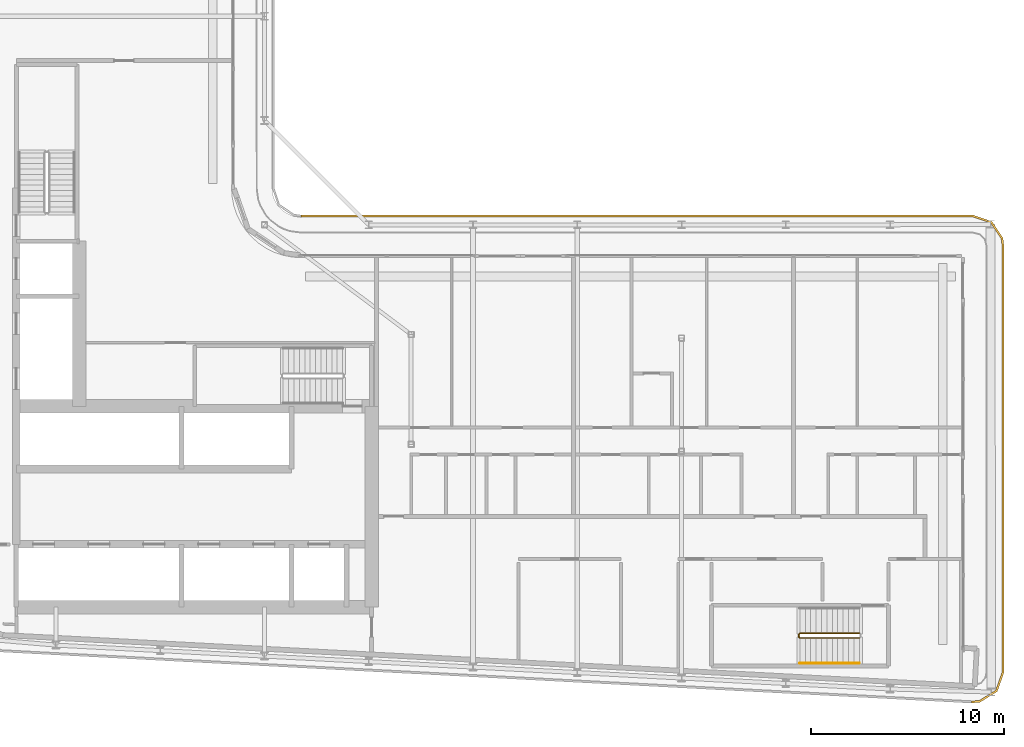
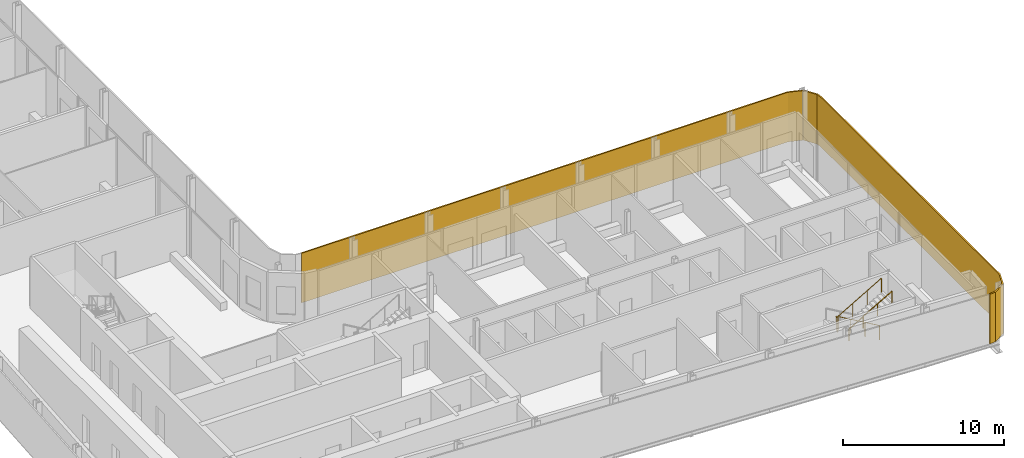
# One storey, part 19 of 23: 2 railings, 1 shading device.
"""IFC4 building model written with IfcOpenShell, lengths in metres."""

from ifc_helpers import new_model, si_unit, direction, frame, origin, origin_2d, place, context, subcontext, project, spatial, polyline, circle, outline, extrude, material, layer, layer_set, type_object, element, save


model = new_model("IFC4")

# Units and contexts
model_context = context("Model", 3, precision=1e-05, world=origin(), true_north=direction((0.0, 1.0)))
body_context = subcontext(model_context, "Body", "Model", "MODEL_VIEW")
ifc_project = project(units=[si_unit("LENGTHUNIT", "METRE"), si_unit("AREAUNIT", "SQUARE_METRE"), si_unit("VOLUMEUNIT", "CUBIC_METRE"), si_unit("PLANEANGLEUNIT", "RADIAN"), si_unit("MASSUNIT", "GRAM", prefix="KILO")], contexts=[model_context])

# Site, building, storey
site_placement = place(None, origin())
site = spatial("IfcSite", under=ifc_project, at=site_placement, CompositionType="ELEMENT")
building_placement = place(site_placement, origin())
building = spatial("IfcBuilding", under=site, at=building_placement, Name="Kheshtan School and Residences Tower", CompositionType="ELEMENT")
storey_placement = place(building_placement, frame((0.0, 0.0, 247.39990234375)))
storey = spatial("IfcBuildingStorey", under=building, at=storey_placement, Name="L58", CompositionType="ELEMENT", Elevation=247.39990234375)

# Shading device
ifc_material_1 = material(Name="Terracotta lattice, extruded ceramic", Category="masonry")
ifc_layer = layer(ifc_material_1, 0.10009765625)
ifc_layer_set = layer_set([ifc_layer], Name="Loggia screen, terracotta lattice")
shading_device_type = type_object("IfcShadingDeviceType", Name="Loggia screen, terracotta lattice", PredefinedType="USERDEFINED", material=ifc_layer_set)
shading_device_placement = place(storey_placement, origin())
element("IfcShadingDevice", 1, at=shading_device_placement, inside=storey, type_object=shading_device_type, Name="Screen L58 2", ObjectType="SCREEN", PredefinedType="USERDEFINED", context=body_context, shape_type="SweptSolid", body=[
    extrude(outline(polyline([(49.5, 46.0), (84.300048828125, 46.0), (85.212890625, 45.68994140625), (85.7490234375, 44.887939453125), (85.800048828125, 44.5), (85.800048828125, 22.43408203125), (85.469970703125, 21.4951171875), (84.6240234375, 20.968994140625), (84.220947265625, 20.93603515625), (84.22900390625, 20.8359375), (84.656005859375, 20.87109375), (85.552978515625, 21.428955078125), (85.89990234375, 22.4169921875), (85.89990234375, 44.507080078125), (85.844970703125, 44.924072265625), (85.277099609375, 45.77392578125), (84.31689453125, 46.10009765625), (49.5, 46.10009765625), (49.5, 46.0)])), origin(), (0.0, 0.0, 1.0), 3.75),
])

# Railings
ifc_material_2 = material(Name="Stainless steel balustrade", Category="steel")
railing_type_1 = type_object("IfcRailingType", Name="Stair guard 1100", PredefinedType="GUARDRAIL", material=ifc_material_2)
railing_1_placement = place(storey_placement, frame((78.409912109375, 24.449951171875, 0.16259765625)))
element("IfcRailing", 2, at=railing_1_placement, inside=storey, type_object=railing_type_1, Name="L58 ST5 stair guard 1", PredefinedType="GUARDRAIL", context=body_context, shape_type="SweptSolid", body=[
    extrude(circle(Radius=0.02392578125, at=origin_2d()), frame((0.0, 0.0, 1.076171875), z_axis=(-0.864873446163, 0.0, 0.501989962173), x_axis=(0.0, -1.0, 0.0)), (0.0, 0.0, 1.0), 3.56103515625),
    extrude(circle(Radius=0.02392578125, at=origin_2d()), frame((-3.079833984375, 0.0, 2.86376953125), z_axis=(-0.707106781187, -0.707106781187, 0.0), x_axis=(0.707106781187, -0.707106781187, 0.0)), (0.0, 0.0, 1.0), 0.07080078125),
    extrude(circle(Radius=0.02392578125, at=origin_2d()), frame((-3.1298828125, -0.050048828125, 2.86376953125), z_axis=(0.0, -1.0, 0.0), x_axis=(1.0, 0.0, 0.0)), (0.0, 0.0, 1.0), 0.14990234375),
    extrude(circle(Radius=0.02392578125, at=origin_2d()), frame((-3.1298828125, -0.199951171875, 2.86376953125), z_axis=(0.282583949758, -0.282583949758, 0.916674763849), x_axis=(0.707106781187, 0.707106781187, 0.0)), (0.0, 0.0, 1.0), 0.177001953125),
    extrude(circle(Radius=0.02392578125, at=origin_2d()), frame((-3.079833984375, -0.25, 3.02587890625), z_axis=(0.864873446163, 0.0, 0.501989962173), x_axis=(0.0, 1.0, 0.0)), (0.0, 0.0, 1.0), 3.56103515625),
    extrude(circle(Radius=0.02099609375, at=origin_2d()), origin(), (0.0, 0.0, 1.0), 1.052001953125),
    extrude(circle(Radius=0.02099609375, at=origin_2d()), frame((-1.026611328125, 0.0, 0.595947265625)), (0.0, 0.0, 1.0), 1.052001953125),
    extrude(circle(Radius=0.02099609375, at=origin_2d()), frame((-2.05322265625, 0.0, 1.191650390625)), (0.0, 0.0, 1.0), 1.052001953125),
    extrude(circle(Radius=0.02099609375, at=origin_2d()), frame((-3.079833984375, 0.0, 1.78759765625)), (0.0, 0.0, 1.0), 1.052001953125),
    extrude(circle(Radius=0.02099609375, at=origin_2d()), frame((-3.1298828125, -0.050048828125, 1.78759765625)), (0.0, 0.0, 1.0), 1.052001953125),
    extrude(circle(Radius=0.02099609375, at=origin_2d()), frame((-3.1298828125, -0.199951171875, 1.78759765625)), (0.0, 0.0, 1.0), 1.052001953125),
    extrude(circle(Radius=0.02099609375, at=origin_2d()), frame((-3.079833984375, -0.25, 1.949951171875)), (0.0, 0.0, 1.0), 1.052001953125),
    extrude(circle(Radius=0.02099609375, at=origin_2d()), frame((-2.05322265625, -0.25, 2.5458984375)), (0.0, 0.0, 1.0), 1.052001953125),
    extrude(circle(Radius=0.02099609375, at=origin_2d()), frame((-1.026611328125, -0.25, 3.1416015625)), (0.0, 0.0, 1.0), 1.052001953125),
    extrude(circle(Radius=0.02099609375, at=origin_2d()), frame((0.0, -0.25, 3.737548828125)), (0.0, 0.0, 1.0), 1.052001953125),
])
ifc_material_3 = material(Name="Stainless steel handrail", Category="steel")
railing_type_2 = type_object("IfcRailingType", Name="Stair handrail 900", PredefinedType="HANDRAIL", material=ifc_material_3)
railing_2_placement = place(storey_placement, frame((75.330078125, 22.89990234375, 2.112548828125)))
element("IfcRailing", 3, at=railing_2_placement, inside=storey, type_object=railing_type_2, Name="L58 ST5 stair handrail 2", PredefinedType="HANDRAIL", context=body_context, shape_type="SweptSolid", body=[
    extrude(circle(Radius=0.02392578125, at=origin_2d()), frame((0.0, 0.0, 0.8759765625), z_axis=(0.864873446163, 0.0, 0.501989962173), x_axis=(0.0, 1.0, 0.0)), (0.0, 0.0, 1.0), 3.56103515625),
    extrude(circle(Radius=0.02099609375, at=origin_2d()), origin(), (0.0, 0.0, 1.0), 0.851806640625),
    extrude(circle(Radius=0.02099609375, at=origin_2d()), frame((1.026611328125, 0.0, 0.595947265625)), (0.0, 0.0, 1.0), 0.851806640625),
    extrude(circle(Radius=0.02099609375, at=origin_2d()), frame((2.05322265625, 0.0, 1.191650390625)), (0.0, 0.0, 1.0), 0.851806640625),
    extrude(circle(Radius=0.02099609375, at=origin_2d()), frame((3.079833984375, 0.0, 1.78759765625)), (0.0, 0.0, 1.0), 0.851806640625),
])

save(model, "model.ifc")
